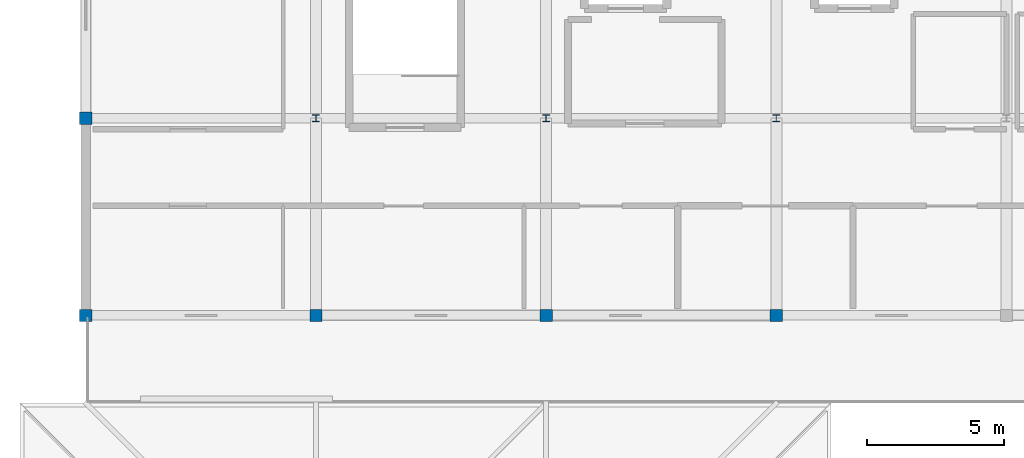
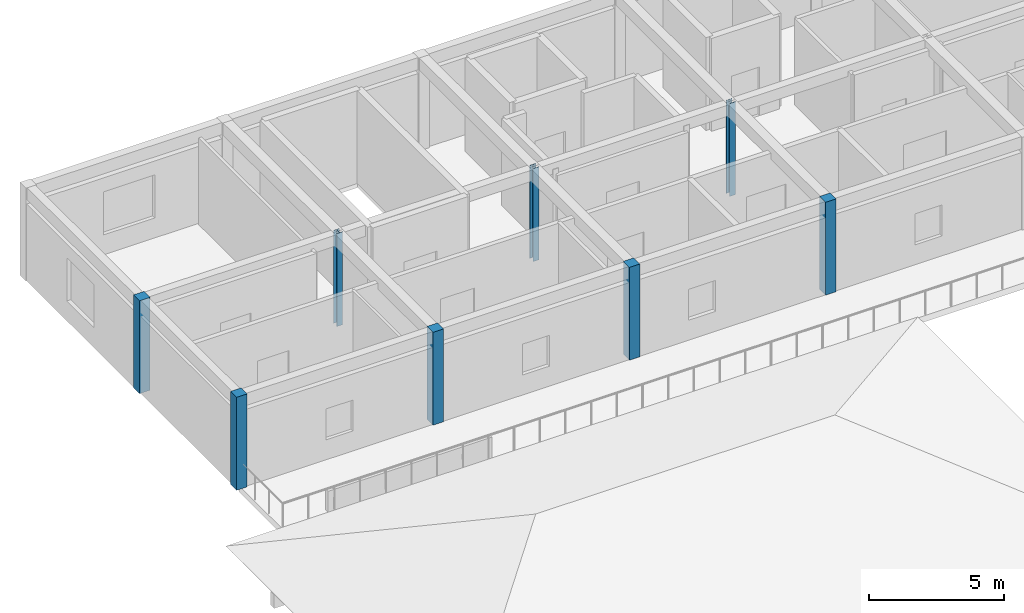
# One storey, part 1 of 22: 8 columns.
"""IFC4 building model written with IfcOpenShell, lengths in metres."""

from ifc_helpers import new_model, si_unit, direction, frame, origin, origin_2d, place, context, subcontext, project, spatial, rectangle, i_section, extrude, material, material_profile, profile_set, type_object, element, save


model = new_model("IFC4")

# Units and contexts
model_context = context("Model", 3, precision=1e-05, world=origin(), true_north=direction((0.0, 1.0)))
body_context = subcontext(model_context, "Body", "Model", "MODEL_VIEW")
ifc_project = project(units=[si_unit("LENGTHUNIT", "METRE"), si_unit("AREAUNIT", "SQUARE_METRE"), si_unit("VOLUMEUNIT", "CUBIC_METRE"), si_unit("PLANEANGLEUNIT", "RADIAN"), si_unit("MASSUNIT", "GRAM", prefix="KILO")], contexts=[model_context])

# Site, building, storey
site_placement = place(None, origin())
site = spatial("IfcSite", under=ifc_project, at=site_placement, CompositionType="ELEMENT")
building_placement = place(site_placement, origin())
building = spatial("IfcBuilding", under=site, at=building_placement, Name="Varncliffe General Hospital", CompositionType="ELEMENT")
storey_placement = place(building_placement, frame((0.0, 0.0, 33.0)))
storey = spatial("IfcBuildingStorey", under=building, at=storey_placement, Name="L07", CompositionType="ELEMENT", Elevation=33.0)

# Columns
ifc_material_1 = material(Name="Concrete C40/50 (CSA A23.1 40 MPa)", Category="concrete")
ifc_material_profile_1 = material_profile(ifc_material_1, rectangle(XDim=0.449951171875, YDim=0.449951171875, at=origin_2d()), Name="RC 450x450")
ifc_profile_set_1 = profile_set([ifc_material_profile_1], Name="Concrete C40/50 (CSA A23.1 40 MPa)")
column_type_1 = type_object("IfcColumnType", Name="Column C73 (Ext RC 450x450)", PredefinedType="COLUMN", material=ifc_profile_set_1)
for number, where, z_axis, x_axis, name in (
    (1, (0.0, 109.199951171875, 0.0), (0.0, 0.0, 1.0), (1.0, 0.0, 0.0), "L07 Column C73"),
    (2, (0.0, 116.39990234375, 0.0), (0.0, 0.0, 1.0), (1.0, 0.0, 0.0), "L07 Column C73"),
    (3, (8.39990234375, 109.199951171875, 0.0), (0.0, 0.0, 1.0), (1.0, 0.0, 0.0), "L07 Column C73"),
    (4, (16.800048828125, 109.199951171875, 0.0), (0.0, 0.0, 1.0), (1.0, 0.0, 0.0), "L07 Column C73"),
    (5, (25.199951171875, 109.199951171875, 0.0), (0.0, 0.0, 1.0), (1.0, 0.0, 0.0), "L07 Column C73"),
):
    element("IfcColumn", number, at=place(storey_placement, frame(where, z_axis=z_axis, x_axis=x_axis)), inside=storey, type_object=column_type_1, Name=name, PredefinedType="COLUMN", context=body_context, shape_type="SweptSolid", body=[
        extrude(rectangle(XDim=0.449951171875, YDim=0.449951171875, at=origin_2d()), origin(), (0.0, 0.0, 1.0), 4.199951171875),
    ])
ifc_material_2 = material(Name="Steel S355 (CSA G40.21 350W)", Category="steel")
ifc_material_profile_2 = material_profile(ifc_material_2, i_section(OverallWidth=0.25390625, OverallDepth=0.2529296875, WebThickness=0.008544921875, FlangeThickness=0.01416015625, FilletRadius=0.012939453125, at=origin_2d()), Name="W250x73")
ifc_profile_set_2 = profile_set([ifc_material_profile_2], Name="Steel S355 (CSA G40.21 350W)")
column_type_2 = type_object("IfcColumnType", Name="Column C75 (Int W250x73)", PredefinedType="COLUMN", material=ifc_profile_set_2)
for number, where, z_axis, x_axis, name in (
    (6, (8.39990234375, 116.39990234375, 0.0), (0.0, 0.0, 1.0), (1.0, 0.0, 0.0), "L07 Column C75"),
    (7, (16.800048828125, 116.39990234375, 0.0), (0.0, 0.0, 1.0), (1.0, 0.0, 0.0), "L07 Column C75"),
    (8, (25.199951171875, 116.39990234375, 0.0), (0.0, 0.0, 1.0), (1.0, 0.0, 0.0), "L07 Column C75"),
):
    element("IfcColumn", number, at=place(storey_placement, frame(where, z_axis=z_axis, x_axis=x_axis)), inside=storey, type_object=column_type_2, Name=name, PredefinedType="COLUMN", context=body_context, shape_type="SweptSolid", body=[
        extrude(i_section(OverallWidth=0.25390625, OverallDepth=0.2529296875, WebThickness=0.008544921875, FlangeThickness=0.01416015625, FilletRadius=0.012939453125, at=origin_2d()), origin(), (0.0, 0.0, 1.0), 4.199951171875),
    ])

save(model, "model.ifc")
